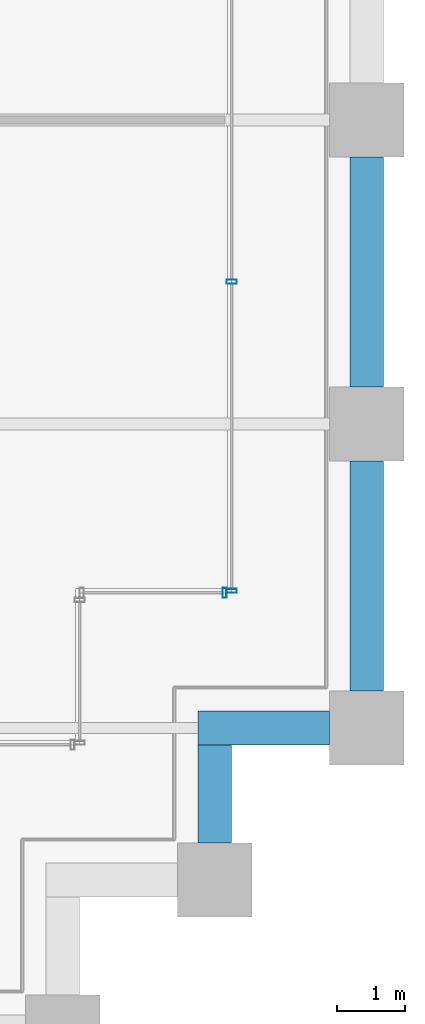
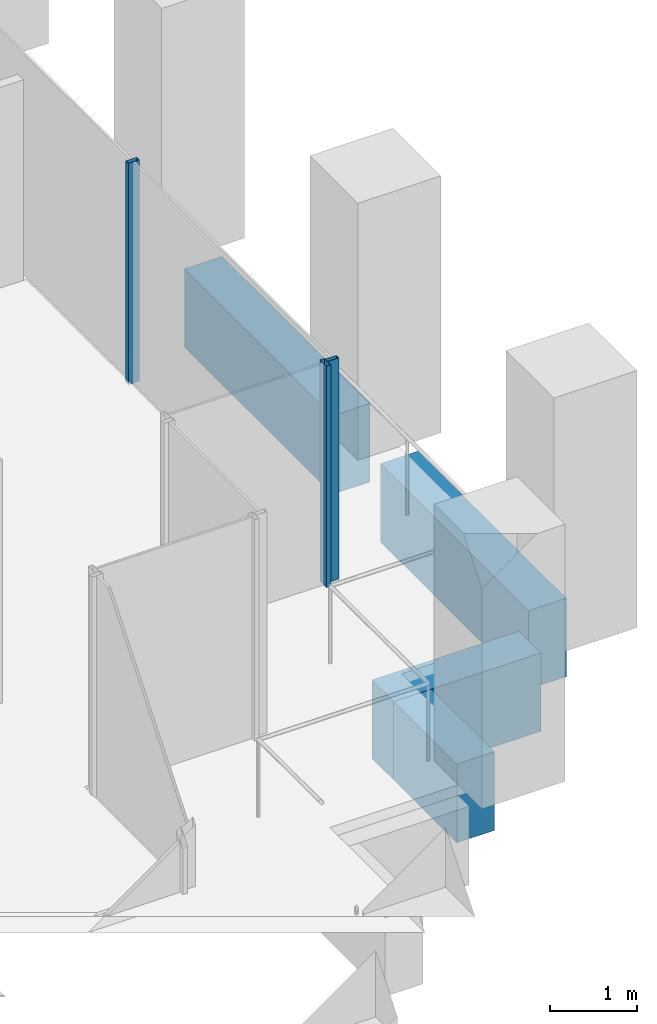
# One storey, part 46 of 54: 4 beams, 3 members, 2 elements without a shape of their own.
"""IFC4 building model written with IfcOpenShell, lengths in metres."""

from ifc_helpers import new_model, si_unit, direction, frame, origin, origin_2d, place, context, subcontext, project, spatial, rectangle, hollow_rectangle, extrude, material, material_profile, profile_set, type_object, element, aggregate, save


model = new_model("IFC4")

# Units and contexts
model_context = context("Model", 3, precision=1e-05, world=origin(), true_north=direction((0.0, 1.0)))
body_context = subcontext(model_context, "Body", "Model", "MODEL_VIEW")
ifc_project = project(units=[si_unit("LENGTHUNIT", "METRE"), si_unit("AREAUNIT", "SQUARE_METRE"), si_unit("VOLUMEUNIT", "CUBIC_METRE"), si_unit("PLANEANGLEUNIT", "RADIAN"), si_unit("MASSUNIT", "GRAM", prefix="KILO")], contexts=[model_context])

# Site, building, storey
site_placement = place(None, origin())
site = spatial("IfcSite", under=ifc_project, at=site_placement, CompositionType="ELEMENT")
building_placement = place(site_placement, origin())
building = spatial("IfcBuilding", under=site, at=building_placement, Name="Altepetl Exchange Towers", CompositionType="ELEMENT")
storey_placement = place(building_placement, frame((0.0, 0.0, 65.39990234375)))
storey = spatial("IfcBuildingStorey", under=building, at=storey_placement, Name="L15", CompositionType="ELEMENT", Elevation=65.39990234375)

# Curtain wall, member
ifc_material_1 = material(Name="Aluminium 6063-T6 glazing", Category="aluminium")
curtain_wall_type = type_object("IfcCurtainWallType", Name="Loggia glazing system", PredefinedType="NOTDEFINED", material=ifc_material_1)
curtain_wall_1_placement = place(storey_placement, origin())
curtain_wall_1 = element("IfcCurtainWall", 1, at=curtain_wall_1_placement, inside=storey, type_object=curtain_wall_type, Name="CW1 run", PredefinedType="NOTDEFINED")
ifc_material_2 = material(Name="Aluminium 6063-T6", Category="aluminium")
ifc_material_profile_1 = material_profile(ifc_material_2, hollow_rectangle(XDim=0.06005859375, YDim=0.14990234375, WallThickness=0.0029296875, at=origin_2d()), Name="Mullion 60x150 aluminium")
ifc_profile_set_1 = profile_set([ifc_material_profile_1], Name="Aluminium 6063-T6")
member_type = type_object("IfcMemberType", Name="Mullion 60x150 aluminium", PredefinedType="MULLION", material=ifc_profile_set_1)
member_1_placement = place(storey_placement, frame((123.89501953125, 33.5, 0.0)))
member_1 = element("IfcMember", 2, at=member_1_placement, type_object=member_type, Name="MU1 mullion", PredefinedType="MULLION", context=body_context, shape_type="SweptSolid", body=[
    extrude(hollow_rectangle(XDim=0.06005859375, YDim=0.14990234375, WallThickness=0.0029296875, at=origin_2d()), origin(), (0.0, 0.0, 1.0), 3.10009765625),
])
aggregate(curtain_wall_1, [member_1])

# Curtain wall, members
curtain_wall_2_placement = place(storey_placement, origin())
curtain_wall_2 = element("IfcCurtainWall", 3, at=curtain_wall_2_placement, inside=storey, type_object=curtain_wall_type, Name="CW1 run", PredefinedType="NOTDEFINED")
member_2_placement = place(storey_placement, frame((124.0, 33.530029296875, 0.0), z_axis=(0.0, 0.0, 1.0), x_axis=(0.0, 1.0, 0.0)))
member_2 = element("IfcMember", 4, at=member_2_placement, type_object=member_type, Name="MU1 mullion", PredefinedType="MULLION", context=body_context, shape_type="SweptSolid", body=[
    extrude(hollow_rectangle(XDim=0.06005859375, YDim=0.14990234375, WallThickness=0.0029296875, at=origin_2d()), origin(), (0.0, 0.0, 1.0), 3.10009765625),
])
member_3_placement = place(storey_placement, frame((124.0, 38.106201171875, 0.0), z_axis=(0.0, 0.0, 1.0), x_axis=(0.0, 1.0, 0.0)))
member_3 = element("IfcMember", 5, at=member_3_placement, type_object=member_type, Name="MU1 mullion", PredefinedType="MULLION", context=body_context, shape_type="SweptSolid", body=[
    extrude(hollow_rectangle(XDim=0.06005859375, YDim=0.14990234375, WallThickness=0.0029296875, at=origin_2d()), origin(), (0.0, 0.0, 1.0), 3.10009765625),
])
aggregate(curtain_wall_2, [member_2, member_3])

# Beams
ifc_material_3 = material(Name="Concrete C50/60 precast with cantera blanca facing", Category="concrete")
ifc_material_profile_2 = material_profile(ifc_material_3, rectangle(XDim=0.5, YDim=1.10009765625, at=origin_2d()), Name="500 x 1100")
ifc_profile_set_2 = profile_set([ifc_material_profile_2], Name="Concrete C50/60 precast with cantera blanca facing")
beam_type = type_object("IfcBeamType", Name="Spandrel beam 500x1100 cantera blanca", PredefinedType="SPANDREL", material=ifc_profile_set_2)
beam_1_placement = place(storey_placement, frame((123.75, 29.800048828125, -0.699951171875), z_axis=(0.0, 1.0, 0.0), x_axis=(-1.0, 0.0, 0.0)))
element("IfcBeam", 6, at=beam_1_placement, inside=storey, type_object=beam_type, Name="sp:B:L15:007", PredefinedType="SPANDREL", context=body_context, shape_type="SweptSolid", body=[
    extrude(rectangle(XDim=0.5, YDim=1.10009765625, at=origin_2d()), origin(), (0.0, 0.0, 1.0), 1.449951171875),
])
beam_2_placement = place(storey_placement, frame((123.5, 31.5, -0.699951171875), z_axis=(1.0, 0.0, 0.0), x_axis=(0.0, 1.0, 0.0)))
element("IfcBeam", 7, at=beam_2_placement, inside=storey, type_object=beam_type, Name="sp:B:L15:008", PredefinedType="SPANDREL", context=body_context, shape_type="SweptSolid", body=[
    extrude(rectangle(XDim=0.5, YDim=1.10009765625, at=origin_2d()), origin(), (0.0, 0.0, 1.0), 1.949951171875),
])
for number, where, z_axis, x_axis, name in (
    (8, (126.0, 32.050048828125, -0.699951171875), (0.0, 1.0, 0.0), (-1.0, 0.0, 0.0), "sp:B:L15:009"),
    (9, (126.0, 36.550048828125, -0.699951171875), (0.0, 1.0, 0.0), (-1.0, 0.0, 0.0), "sp:B:L15:010"),
):
    element("IfcBeam", number, at=place(storey_placement, frame(where, z_axis=z_axis, x_axis=x_axis)), inside=storey, type_object=beam_type, Name=name, PredefinedType="SPANDREL", context=body_context, shape_type="SweptSolid", body=[
        extrude(rectangle(XDim=0.5, YDim=1.10009765625, at=origin_2d()), origin(), (0.0, 0.0, 1.0), 3.39990234375),
    ])

save(model, "model.ifc")
